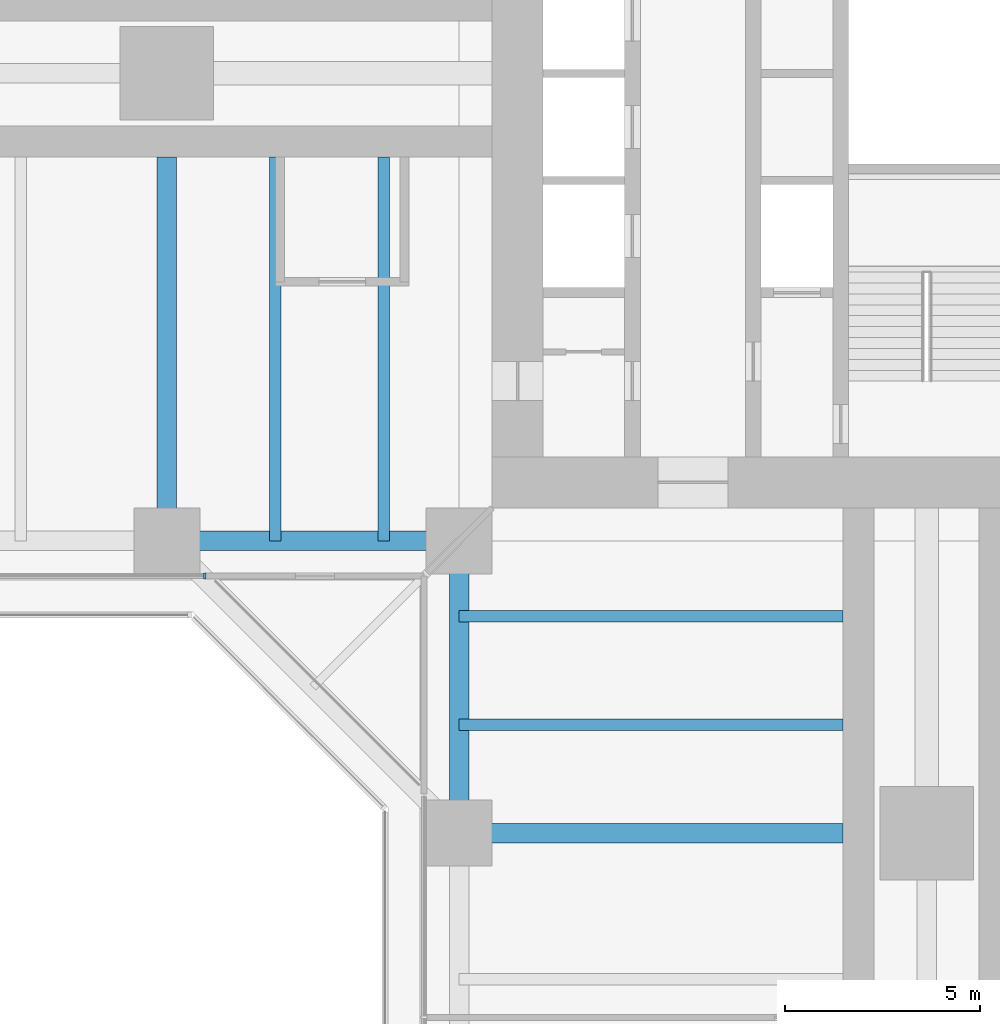
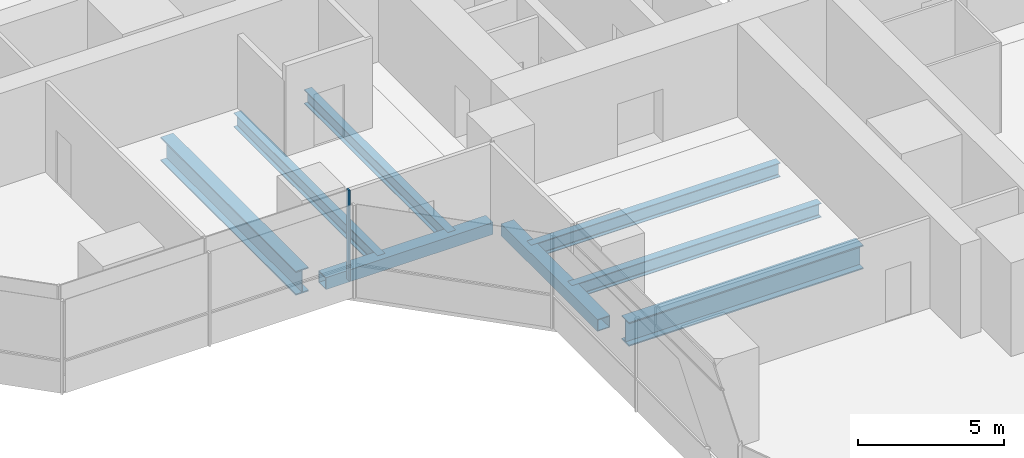
# One storey, part 4 of 22: 8 beams, 1 member, 1 element without a shape of its own.
"""IFC4 building model written with IfcOpenShell, lengths in metres."""

from ifc_helpers import new_model, si_unit, direction, frame, origin, origin_2d, place, context, subcontext, project, spatial, rectangle, hollow_rectangle, i_section, extrude, material, material_profile, profile_set, type_object, element, aggregate, save


model = new_model("IFC4")

# Units and contexts
model_context = context("Model", 3, precision=1e-05, world=origin(), true_north=direction((0.0, 1.0)))
body_context = subcontext(model_context, "Body", "Model", "MODEL_VIEW")
ifc_project = project(units=[si_unit("LENGTHUNIT", "METRE"), si_unit("AREAUNIT", "SQUARE_METRE"), si_unit("VOLUMEUNIT", "CUBIC_METRE"), si_unit("PLANEANGLEUNIT", "RADIAN"), si_unit("MASSUNIT", "GRAM", prefix="KILO")], contexts=[model_context])

# Site, building, storey
site_placement = place(None, origin())
site = spatial("IfcSite", under=ifc_project, at=site_placement, CompositionType="ELEMENT")
building_placement = place(site_placement, origin())
building = spatial("IfcBuilding", under=site, at=building_placement, Name="Mizan Broadcast Tower", CompositionType="ELEMENT")
storey_placement = place(building_placement, frame((0.0, 0.0, 109.800048828125)))
storey = spatial("IfcBuildingStorey", under=building, at=storey_placement, Name="L24", CompositionType="ELEMENT", Elevation=109.800048828125)

# Beams
ifc_material_1 = material(Name="Steel S355", Category="steel")
ifc_material_profile_1 = material_profile(ifc_material_1, hollow_rectangle(XDim=0.5, YDim=0.5, WallThickness=0.030029296875, at=origin_2d()), Name="BOX 500x500x30")
ifc_profile_set_1 = profile_set([ifc_material_profile_1], Name="Steel S355")
beam_type_1 = type_object("IfcBeamType", Name="EDGE BEAM BOX 500x500x30", PredefinedType="SPANDREL", material=ifc_profile_set_1)
for number, where, z_axis, x_axis, name in (
    (1, (-12.449951171875, -12.0, -0.380126953125), (-1.0, 0.0, 0.0), (0.0, -1.0, 0.0), "Edge beam BOX 500x500x30 L24 west arm"),
    (2, (-12.0, -12.449951171875, -0.380126953125), (0.0, -1.0, 0.0), (1.0, 0.0, 0.0), "Edge beam BOX 500x500x30 L24 south arm"),
):
    element("IfcBeam", number, at=place(storey_placement, frame(where, z_axis=z_axis, x_axis=x_axis)), inside=storey, type_object=beam_type_1, Name=name, PredefinedType="SPANDREL", context=body_context, shape_type="SweptSolid", body=[
        extrude(hollow_rectangle(XDim=0.5, YDim=0.5, WallThickness=0.030029296875, at=origin_2d()), origin(), (0.0, 0.0, 1.0), 6.60009765625),
    ])
ifc_material_2 = material(Name="Steel S460", Category="steel")
ifc_material_profile_2 = material_profile(ifc_material_2, i_section(OverallWidth=0.5, OverallDepth=1.0, WebThickness=0.02490234375, FlangeThickness=0.050048828125, at=origin_2d()), Name="WPG 1000x500")
ifc_profile_set_2 = profile_set([ifc_material_profile_2], Name="Steel S460")
beam_type_2 = type_object("IfcBeamType", Name="GIRDER WPG 1000x500", PredefinedType="BEAM", material=ifc_profile_set_2)
for number, where, z_axis, x_axis, name in (
    (3, (-19.5, -11.408935546875, -0.630126953125), (0.0, 1.0, 0.0), (-1.0, 0.0, 0.0), "Girder WPG 1000x500 L24 west arm"),
    (4, (-11.408935546875, -19.5, -0.630126953125), (1.0, 0.0, 0.0), (0.0, 1.0, 0.0), "Girder WPG 1000x500 L24 south arm"),
):
    element("IfcBeam", number, at=place(storey_placement, frame(where, z_axis=z_axis, x_axis=x_axis)), inside=storey, type_object=beam_type_2, Name=name, PredefinedType="BEAM", context=body_context, shape_type="SweptSolid", body=[
        extrude(i_section(OverallWidth=0.5, OverallDepth=1.0, WebThickness=0.02490234375, FlangeThickness=0.050048828125, at=origin_2d()), origin(), (0.0, 0.0, 1.0), 9.259033203125),
    ])

# Curtain wall, member
ifc_material_3 = material(Name="Aluminium framed glazing", Category="aluminium")
curtain_wall_type = type_object("IfcCurtainWallType", Name="INNER SKIN LOW ZONE", PredefinedType="USERDEFINED", material=ifc_material_3)
curtain_wall_placement = place(storey_placement, origin())
curtain_wall = element("IfcCurtainWall", 5, at=curtain_wall_placement, inside=storey, type_object=curtain_wall_type, Name="Inner skin low zone L24 W side", ObjectType="INNER SKIN LOW ZONE", PredefinedType="USERDEFINED")
ifc_material_4 = material(Name="Aluminium, pale anodised", Category="aluminium")
ifc_material_profile_3 = material_profile(ifc_material_4, rectangle(XDim=0.159912109375, YDim=0.06005859375, at=origin_2d()), Name="MULLION 160x60")
ifc_profile_set_3 = profile_set([ifc_material_profile_3], Name="Aluminium, pale anodised")
member_type = type_object("IfcMemberType", Name="INNER SKIN MULLION 60x160", PredefinedType="MULLION", material=ifc_profile_set_3)
member_placement = place(storey_placement, frame((-18.530029296875, -12.89990234375, 0.0), z_axis=(0.0, 0.0, 1.0), x_axis=(0.0, 1.0, 0.0)))
member = element("IfcMember", 6, at=member_placement, type_object=member_type, Name="Inner skin low zone L24 W side mullion 3", PredefinedType="MULLION", context=body_context, shape_type="SweptSolid", body=[
    extrude(rectangle(XDim=0.159912109375, YDim=0.06005859375, at=origin_2d()), origin(), (0.0, 0.0, 1.0), 3.77001953125),
])
aggregate(curtain_wall, [member])

# Beams
ifc_material_5 = material(Name="Steel S355", Category="steel")
ifc_material_profile_4 = material_profile(ifc_material_5, i_section(OverallWidth=0.300048828125, OverallDepth=0.590087890625, WebThickness=0.012939453125, FlangeThickness=0.02490234375, FilletRadius=0.027099609375, at=origin_2d()), Name="HEA 600")
ifc_profile_set_4 = profile_set([ifc_material_profile_4], Name="Steel S355")
beam_type_3 = type_object("IfcBeamType", Name="SECONDARY BEAM HEA 600", PredefinedType="JOIST", material=ifc_profile_set_4)
for number, where, z_axis, x_axis, name in (
    (7, (-13.933349609375, -12.0, -0.425048828125), (0.0, 1.0, 0.0), (-1.0, 0.0, 0.0), "Secondary beam HEA 600 L24 west arm"),
    (8, (-16.716552734375, -12.0, -0.425048828125), (0.0, 1.0, 0.0), (-1.0, 0.0, 0.0), "Secondary beam HEA 600 L24 west arm"),
    (9, (-12.0, -13.933349609375, -0.425048828125), (1.0, 0.0, 0.0), (0.0, 1.0, 0.0), "Secondary beam HEA 600 L24 south arm"),
    (10, (-12.0, -16.716552734375, -0.425048828125), (1.0, 0.0, 0.0), (0.0, 1.0, 0.0), "Secondary beam HEA 600 L24 south arm"),
):
    element("IfcBeam", number, at=place(storey_placement, frame(where, z_axis=z_axis, x_axis=x_axis)), inside=storey, type_object=beam_type_3, Name=name, PredefinedType="JOIST", context=body_context, shape_type="SweptSolid", body=[
        extrude(i_section(OverallWidth=0.300048828125, OverallDepth=0.590087890625, WebThickness=0.012939453125, FlangeThickness=0.02490234375, FilletRadius=0.027099609375, at=origin_2d()), origin(), (0.0, 0.0, 1.0), 9.85009765625),
    ])

save(model, "model.ifc")
